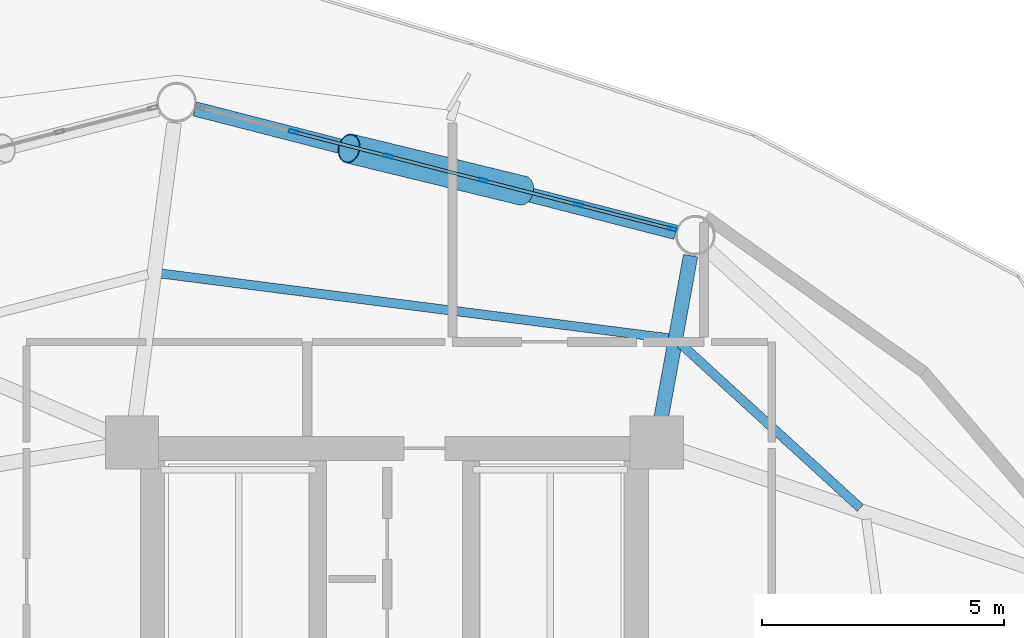
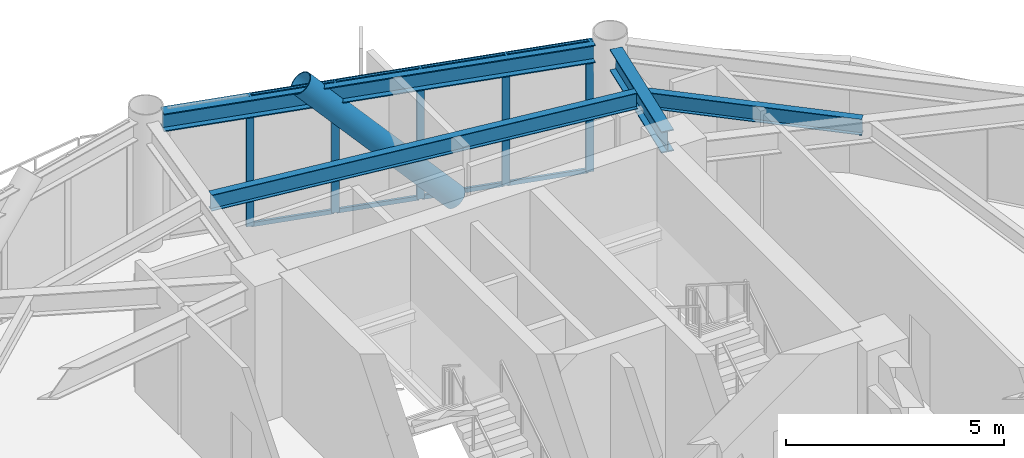
# One storey, part 17 of 24: 14 members, 4 beams, 1 element without a shape of its own.
"""IFC4 building model written with IfcOpenShell, lengths in metres."""

from ifc_helpers import new_model, si_unit, direction, frame, origin, origin_2d, place, context, subcontext, project, spatial, hollow_rectangle, hollow_circle, i_section, extrude, material, layer, layer_set, material_profile, profile_set, type_object, element, aggregate, save


model = new_model("IFC4")

# Units and contexts
model_context = context("Model", 3, precision=1e-05, world=origin(), true_north=direction((0.0, 1.0)))
body_context = subcontext(model_context, "Body", "Model", "MODEL_VIEW")
ifc_project = project(units=[si_unit("LENGTHUNIT", "METRE"), si_unit("AREAUNIT", "SQUARE_METRE"), si_unit("VOLUMEUNIT", "CUBIC_METRE"), si_unit("PLANEANGLEUNIT", "RADIAN"), si_unit("MASSUNIT", "GRAM", prefix="KILO")], contexts=[model_context])

# Site, building, storey
site_placement = place(None, origin())
site = spatial("IfcSite", under=ifc_project, at=site_placement, CompositionType="ELEMENT")
building_placement = place(site_placement, origin())
building = spatial("IfcBuilding", under=site, at=building_placement, Name="Varnakorn Sky Granary", CompositionType="ELEMENT")
storey_placement = place(building_placement, frame((0.0, 0.0, 103.199951171875)))
storey = spatial("IfcBuildingStorey", under=building, at=storey_placement, Name="L25", CompositionType="ELEMENT", Elevation=103.199951171875)

# Beams
ifc_material_1 = material(Name="Steel S355JR", Category="steel")
ifc_material_profile_1 = material_profile(ifc_material_1, i_section(OverallWidth=0.300048828125, OverallDepth=0.60009765625, WebThickness=0.015380859375, FlangeThickness=0.030029296875, at=origin_2d()), Name="HE 600 B")
ifc_profile_set_1 = profile_set([ifc_material_profile_1], Name="Steel S355JR")
beam_type_1 = type_object("IfcBeamType", Name="BM-RAD-Z2", PredefinedType="BEAM", material=ifc_profile_set_1)
beam_1_placement = place(storey_placement, frame((8.4951171875, 13.033203125, 3.340087890625), z_axis=(0.178566738723, 0.983927802139, 0.0), x_axis=(-0.983927802139, 0.178566738723, 0.0)))
element("IfcBeam", 1, at=beam_1_placement, inside=storey, type_object=beam_type_1, Name="Radial Floor Girder RG03 L25", PredefinedType="BEAM", context=body_context, shape_type="SweptSolid", body=[
    extrude(i_section(OverallWidth=0.300048828125, OverallDepth=0.60009765625, WebThickness=0.015380859375, FlangeThickness=0.030029296875, at=origin_2d()), origin(), (0.0, 0.0, 1.0), 3.505615234375),
])
ifc_material_profile_2 = material_profile(ifc_material_1, i_section(OverallWidth=0.18994140625, OverallDepth=0.449951171875, WebThickness=0.009521484375, FlangeThickness=0.0146484375, at=origin_2d()), Name="IPE 450")
ifc_profile_set_2 = profile_set([ifc_material_profile_2], Name="Steel S355JR")
beam_type_2 = type_object("IfcBeamType", Name="BM-SEC-Z2", PredefinedType="BEAM", material=ifc_profile_set_2)
beam_2_placement = place(storey_placement, frame((12.62890625, 11.26904296875, 3.4150390625), z_axis=(-0.738483393999, 0.674271663937, 0.0), x_axis=(-0.674271663937, -0.738483393999, 0.0)))
element("IfcBeam", 2, at=beam_2_placement, inside=storey, type_object=beam_type_2, Name="Secondary Floor Chord Beam MSB02 L25", PredefinedType="BEAM", context=body_context, shape_type="SweptSolid", body=[
    extrude(i_section(OverallWidth=0.18994140625, OverallDepth=0.449951171875, WebThickness=0.009521484375, FlangeThickness=0.0146484375, at=origin_2d()), origin(), (0.0, 0.0, 1.0), 5.033935546875),
])
beam_3_placement = place(storey_placement, frame((8.669189453125, 14.775390625, 3.4150390625), z_axis=(-0.991974075356, 0.12644142447, 0.0), x_axis=(-0.12644142447, -0.991974075356, 0.0)))
element("IfcBeam", 3, at=beam_3_placement, inside=storey, type_object=beam_type_2, Name="Secondary Floor Chord Beam MSB03 L25", PredefinedType="BEAM", context=body_context, shape_type="SweptSolid", body=[
    extrude(i_section(OverallWidth=0.18994140625, OverallDepth=0.449951171875, WebThickness=0.009521484375, FlangeThickness=0.0146484375, at=origin_2d()), origin(), (0.0, 0.0, 1.0), 10.573486328125),
])
ifc_material_profile_3 = material_profile(ifc_material_1, i_section(OverallWidth=0.300048828125, OverallDepth=0.5, WebThickness=0.014404296875, FlangeThickness=0.028076171875, at=origin_2d()), Name="HE 500 B")
ifc_profile_set_3 = profile_set([ifc_material_profile_3], Name="Steel S355JR")
beam_type_3 = type_object("IfcBeamType", Name="BM-SPD-Z2", PredefinedType="SPANDREL", material=ifc_profile_set_3)
beam_4_placement = place(storey_placement, frame((8.811767578125, 16.96484375, 3.39013671875), z_axis=(-0.968593917233, 0.248647991141, 0.0), x_axis=(-0.248647991141, -0.968593917233, 0.0)))
element("IfcBeam", 4, at=beam_4_placement, inside=storey, type_object=beam_type_3, Name="Perimeter Spandrel Ring Beam RB03 L25", PredefinedType="SPANDREL", context=body_context, shape_type="SweptSolid", body=[
    extrude(i_section(OverallWidth=0.300048828125, OverallDepth=0.5, WebThickness=0.014404296875, FlangeThickness=0.028076171875, at=origin_2d()), origin(), (0.0, 0.0, 1.0), 10.254638671875),
])

# Curtain wall, members
ifc_material_2 = material(Name="Anodised Bronze Aluminium Alloy 6063-T6", Category="aluminium")
ifc_layer = layer(ifc_material_2, 0.179931640625, Name="Anodised Bronze Aluminium Alloy 6063-T6")
ifc_layer_set = layer_set([ifc_layer], Name="Anodised Bronze Aluminium Alloy 6063-T6")
curtain_wall_type = type_object("IfcCurtainWallType", Name="CW-FRM-2", PredefinedType="USERDEFINED", material=ifc_layer_set)
curtain_wall_placement = place(storey_placement, origin())
curtain_wall = element("IfcCurtainWall", 5, at=curtain_wall_placement, inside=storey, type_object=curtain_wall_type, Name="Unitised Curtain Wall CW4 CW-L25-B03", ObjectType="CURTAIN WALL", PredefinedType="USERDEFINED")
ifc_material_profile_4 = material_profile(ifc_material_2, hollow_rectangle(XDim=0.070068359375, YDim=0.18505859375, WallThickness=0.00390625, at=origin_2d()), Name="ALU MULL 70x185")
ifc_profile_set_4 = profile_set([ifc_material_profile_4], Name="Anodised Bronze Aluminium Alloy 6063-T6")
member_type_1 = type_object("IfcMemberType", Name="CW-FRM-2-MULL", PredefinedType="MULLION", material=ifc_profile_set_4)
member_1_placement = place(storey_placement, frame((0.916015625, 19.040283203125, 0.0), z_axis=(0.0, 0.0, 1.0), x_axis=(0.24847715644, 0.968637756196, 0.0)))
member_1 = element("IfcMember", 6, at=member_1_placement, type_object=member_type_1, Name="CW4 mullion 2", PredefinedType="MULLION", context=body_context, shape_type="SweptSolid", body=[
    extrude(hollow_rectangle(XDim=0.070068359375, YDim=0.18505859375, WallThickness=0.00390625, at=origin_2d()), origin(), (0.0, 0.0, 1.0), 3.64013671875),
])
member_2_placement = place(storey_placement, frame((2.8798828125, 18.536376953125, 0.0), z_axis=(0.0, 0.0, 1.0), x_axis=(0.24847715644, 0.968637756196, 0.0)))
member_2 = element("IfcMember", 7, at=member_2_placement, type_object=member_type_1, Name="CW4 mullion 3", PredefinedType="MULLION", context=body_context, shape_type="SweptSolid", body=[
    extrude(hollow_rectangle(XDim=0.070068359375, YDim=0.18505859375, WallThickness=0.00390625, at=origin_2d()), origin(), (0.0, 0.0, 1.0), 3.64013671875),
])
member_3_placement = place(storey_placement, frame((4.843994140625, 18.03271484375, 0.0), z_axis=(0.0, 0.0, 1.0), x_axis=(0.24847715644, 0.968637756196, 0.0)))
member_3 = element("IfcMember", 8, at=member_3_placement, type_object=member_type_1, Name="CW4 mullion 4", PredefinedType="MULLION", context=body_context, shape_type="SweptSolid", body=[
    extrude(hollow_rectangle(XDim=0.070068359375, YDim=0.18505859375, WallThickness=0.00390625, at=origin_2d()), origin(), (0.0, 0.0, 1.0), 3.64013671875),
])
member_4_placement = place(storey_placement, frame((6.80810546875, 17.52880859375, 0.0), z_axis=(0.0, 0.0, 1.0), x_axis=(0.24847715644, 0.968637756196, 0.0)))
member_4 = element("IfcMember", 9, at=member_4_placement, type_object=member_type_1, Name="CW4 mullion 5", PredefinedType="MULLION", context=body_context, shape_type="SweptSolid", body=[
    extrude(hollow_rectangle(XDim=0.070068359375, YDim=0.18505859375, WallThickness=0.00390625, at=origin_2d()), origin(), (0.0, 0.0, 1.0), 3.64013671875),
])
member_5_placement = place(storey_placement, frame((8.73828125, 17.03369140625, 0.0), z_axis=(0.0, 0.0, 1.0), x_axis=(0.24847715644, 0.968637756196, 0.0)))
member_5 = element("IfcMember", 10, at=member_5_placement, type_object=member_type_1, Name="CW4 mullion 6", PredefinedType="MULLION", context=body_context, shape_type="SweptSolid", body=[
    extrude(hollow_rectangle(XDim=0.070068359375, YDim=0.18505859375, WallThickness=0.00390625, at=origin_2d()), origin(), (0.0, 0.0, 1.0), 3.64013671875),
])
ifc_material_profile_5 = material_profile(ifc_material_2, hollow_rectangle(XDim=0.06494140625, YDim=0.1201171875, WallThickness=0.00341796875, at=origin_2d()), Name="ALU TRAN 65x120")
ifc_profile_set_5 = profile_set([ifc_material_profile_5], Name="Anodised Bronze Aluminium Alloy 6063-T6")
member_type_2 = type_object("IfcMemberType", Name="CW-FRM-2-TRAN", PredefinedType="USERDEFINED", material=ifc_profile_set_5)
member_6_placement = place(storey_placement, frame((0.949951171875, 19.031494140625, 0.032470703125), z_axis=(0.968650016028, -0.248429359074, 0.0), x_axis=(0.248429359074, 0.968650016028, 0.0)))
member_6 = element("IfcMember", 11, at=member_6_placement, type_object=member_type_2, Name="CW4 transom 2.1", ObjectType="TRANSOM", PredefinedType="USERDEFINED", context=body_context, shape_type="SweptSolid", body=[
    extrude(hollow_rectangle(XDim=0.06494140625, YDim=0.1201171875, WallThickness=0.00341796875, at=origin_2d()), origin(), (0.0, 0.0, 1.0), 1.95751953125),
])
member_7_placement = place(storey_placement, frame((0.949951171875, 19.031494140625, 3.607666015625), z_axis=(0.968650016028, -0.248429359074, 0.0), x_axis=(0.248429359074, 0.968650016028, 0.0)))
member_7 = element("IfcMember", 12, at=member_7_placement, type_object=member_type_2, Name="CW4 transom 2.2", ObjectType="TRANSOM", PredefinedType="USERDEFINED", context=body_context, shape_type="SweptSolid", body=[
    extrude(hollow_rectangle(XDim=0.06494140625, YDim=0.1201171875, WallThickness=0.00341796875, at=origin_2d()), origin(), (0.0, 0.0, 1.0), 1.95751953125),
])
member_8_placement = place(storey_placement, frame((2.913818359375, 18.52783203125, 0.032470703125), z_axis=(0.968619998688, -0.248546370205, 0.0), x_axis=(0.248546370205, 0.968619998688, 0.0)))
member_8 = element("IfcMember", 13, at=member_8_placement, type_object=member_type_2, Name="CW4 transom 3.1", ObjectType="TRANSOM", PredefinedType="USERDEFINED", context=body_context, shape_type="SweptSolid", body=[
    extrude(hollow_rectangle(XDim=0.06494140625, YDim=0.1201171875, WallThickness=0.00341796875, at=origin_2d()), origin(), (0.0, 0.0, 1.0), 1.957763671875),
])
member_9_placement = place(storey_placement, frame((2.913818359375, 18.52783203125, 3.607666015625), z_axis=(0.968619998688, -0.248546370205, 0.0), x_axis=(0.248546370205, 0.968619998688, 0.0)))
member_9 = element("IfcMember", 14, at=member_9_placement, type_object=member_type_2, Name="CW4 transom 3.2", ObjectType="TRANSOM", PredefinedType="USERDEFINED", context=body_context, shape_type="SweptSolid", body=[
    extrude(hollow_rectangle(XDim=0.06494140625, YDim=0.1201171875, WallThickness=0.00341796875, at=origin_2d()), origin(), (0.0, 0.0, 1.0), 1.957763671875),
])
member_10_placement = place(storey_placement, frame((4.8779296875, 18.02392578125, 0.032470703125), z_axis=(0.968650016028, -0.248429359074, 0.0), x_axis=(0.248429359074, 0.968650016028, 0.0)))
member_10 = element("IfcMember", 15, at=member_10_placement, type_object=member_type_2, Name="CW4 transom 4.1", ObjectType="TRANSOM", PredefinedType="USERDEFINED", context=body_context, shape_type="SweptSolid", body=[
    extrude(hollow_rectangle(XDim=0.06494140625, YDim=0.1201171875, WallThickness=0.00341796875, at=origin_2d()), origin(), (0.0, 0.0, 1.0), 1.95751953125),
])
member_11_placement = place(storey_placement, frame((4.8779296875, 18.02392578125, 3.607666015625), z_axis=(0.968650016028, -0.248429359074, 0.0), x_axis=(0.248429359074, 0.968650016028, 0.0)))
member_11 = element("IfcMember", 16, at=member_11_placement, type_object=member_type_2, Name="CW4 transom 4.2", ObjectType="TRANSOM", PredefinedType="USERDEFINED", context=body_context, shape_type="SweptSolid", body=[
    extrude(hollow_rectangle(XDim=0.06494140625, YDim=0.1201171875, WallThickness=0.00341796875, at=origin_2d()), origin(), (0.0, 0.0, 1.0), 1.95751953125),
])
member_12_placement = place(storey_placement, frame((6.842041015625, 17.52001953125, 0.032470703125), z_axis=(0.968660732407, -0.248387571131, 0.0), x_axis=(0.248387571131, 0.968660732407, 0.0)))
member_12 = element("IfcMember", 17, at=member_12_placement, type_object=member_type_2, Name="CW4 transom 5.1", ObjectType="TRANSOM", PredefinedType="USERDEFINED", context=body_context, shape_type="SweptSolid", body=[
    extrude(hollow_rectangle(XDim=0.06494140625, YDim=0.1201171875, WallThickness=0.00341796875, at=origin_2d()), origin(), (0.0, 0.0, 1.0), 1.922607421875),
])
member_13_placement = place(storey_placement, frame((6.842041015625, 17.52001953125, 3.607666015625), z_axis=(0.968660732407, -0.248387571131, 0.0), x_axis=(0.248387571131, 0.968660732407, 0.0)))
member_13 = element("IfcMember", 18, at=member_13_placement, type_object=member_type_2, Name="CW4 transom 5.2", ObjectType="TRANSOM", PredefinedType="USERDEFINED", context=body_context, shape_type="SweptSolid", body=[
    extrude(hollow_rectangle(XDim=0.06494140625, YDim=0.1201171875, WallThickness=0.00341796875, at=origin_2d()), origin(), (0.0, 0.0, 1.0), 1.922607421875),
])
aggregate(curtain_wall, [member_1, member_2, member_3, member_4, member_5, member_6, member_7, member_8, member_9, member_10, member_11, member_12, member_13])

# Member
ifc_material_3 = material(Name="Steel S460M", Category="steel")
ifc_material_profile_6 = material_profile(ifc_material_3, hollow_circle(Radius=0.304931640625, WallThickness=0.022216796875, at=origin_2d()), Name="CHS 610x22")
ifc_profile_set_6 = profile_set([ifc_material_profile_6], Name="Steel S460M")
member_type_3 = type_object("IfcMemberType", Name="MB-DIAG-T1", PredefinedType="BRACE", material=ifc_profile_set_6)
member_14_placement = place(storey_placement, frame((5.6494140625, 17.826171875, -0.1298828125), z_axis=(-0.666055707324, 0.161808862513, 0.72813988131), x_axis=(-0.236069623511, -0.97173614364, 0.0)))
element("IfcMember", 19, at=member_14_placement, inside=storey, type_object=member_type_3, Name="Perimeter CHS Diagrid Brace DG03 L25", PredefinedType="BRACE", context=body_context, shape_type="SweptSolid", body=[
    extrude(hollow_circle(Radius=0.304931640625, WallThickness=0.022216796875, at=origin_2d()), origin(), (0.0, 0.0, 1.0), 5.383544921875),
])

save(model, "model.ifc")
